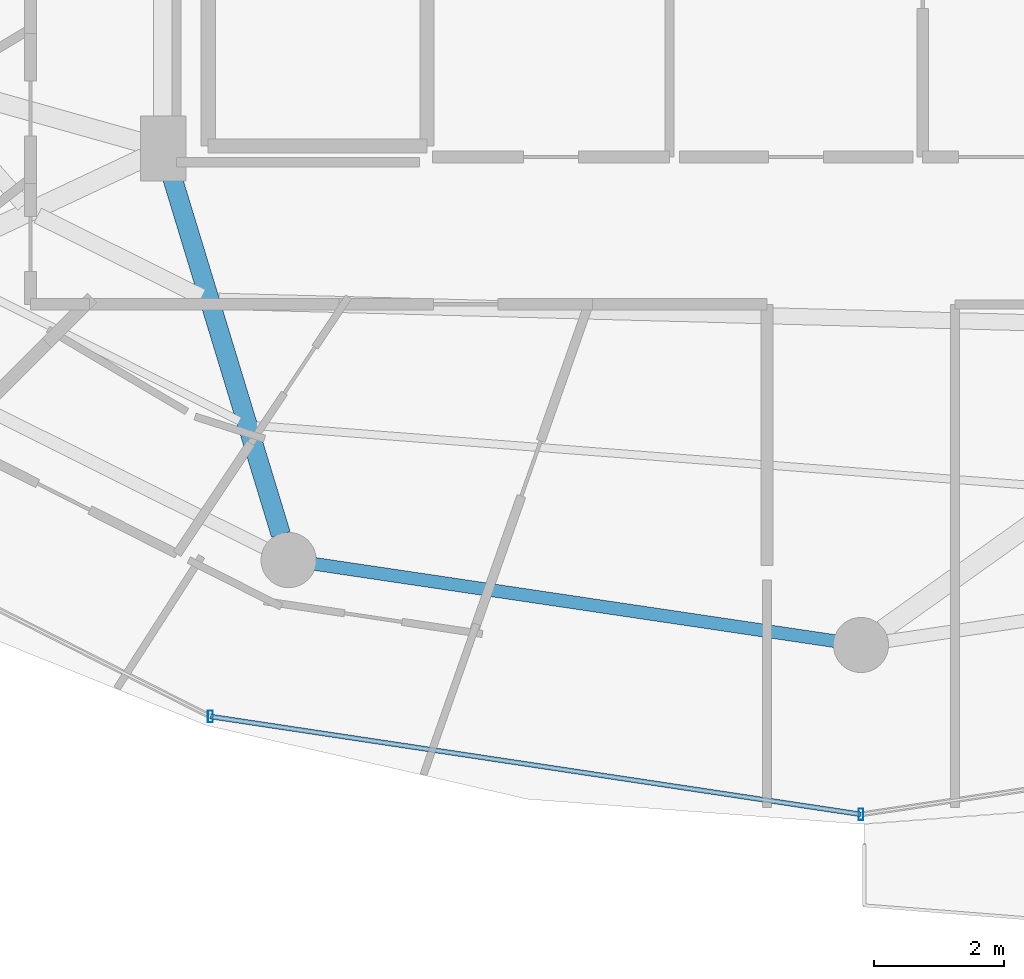
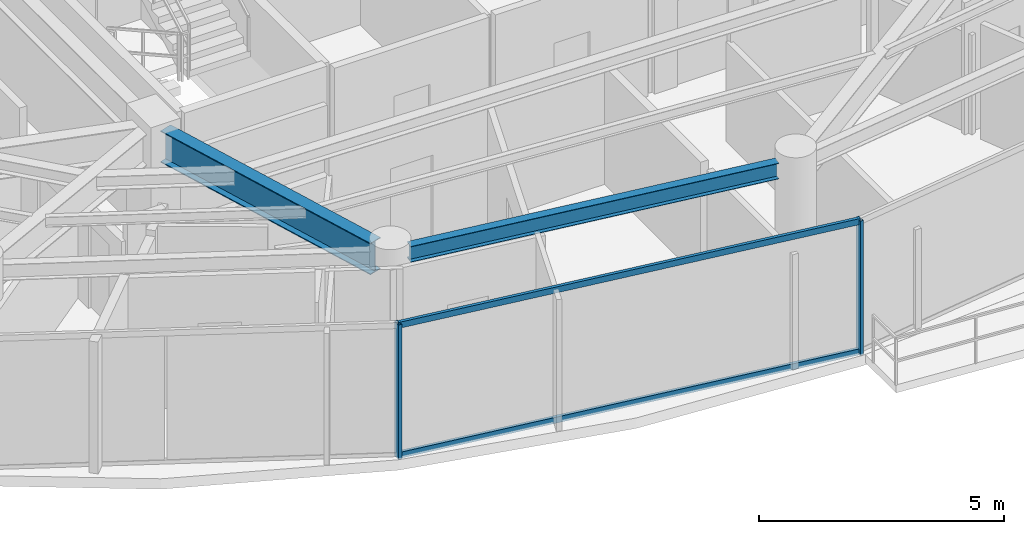
# One storey, part 4 of 29: 4 members, 2 beams, 1 element without a shape of its own.
"""IFC4 building model written with IfcOpenShell, lengths in metres."""

from ifc_helpers import new_model, si_unit, direction, frame, origin, origin_2d, place, context, subcontext, project, spatial, hollow_rectangle, i_section, extrude, material, material_profile, profile_set, type_object, element, aggregate, save


model = new_model("IFC4")

# Units and contexts
model_context = context("Model", 3, precision=1e-05, world=origin(), true_north=direction((0.0, 1.0)))
body_context = subcontext(model_context, "Body", "Model", "MODEL_VIEW")
ifc_project = project(units=[si_unit("LENGTHUNIT", "METRE"), si_unit("AREAUNIT", "SQUARE_METRE"), si_unit("VOLUMEUNIT", "CUBIC_METRE"), si_unit("PLANEANGLEUNIT", "RADIAN"), si_unit("MASSUNIT", "GRAM", prefix="KILO")], contexts=[model_context])

# Site, building, storey
site_placement = place(None, origin())
site = spatial("IfcSite", under=ifc_project, at=site_placement, CompositionType="ELEMENT")
building_placement = place(site_placement, origin())
building = spatial("IfcBuilding", under=site, at=building_placement, Name="Vorneva Point Tower", CompositionType="ELEMENT")
storey_placement = place(building_placement, frame((0.0, 0.0, 259.10009765625)))
storey = spatial("IfcBuildingStorey", under=building, at=storey_placement, Name="L70", CompositionType="ELEMENT", Elevation=259.10009765625)

# Beams
ifc_material_1 = material(Name="Steel S355", Category="steel")
ifc_material_profile_1 = material_profile(ifc_material_1, i_section(OverallWidth=0.300048828125, OverallDepth=0.7880859375, WebThickness=0.014404296875, FlangeThickness=0.02197265625, at=origin_2d()), Name="80Sh1")
ifc_profile_set_1 = profile_set([ifc_material_profile_1], Name="Steel S355")
beam_type_1 = type_object("IfcBeamType", Name="BM-GRD-80Sh1", PredefinedType="USERDEFINED", material=ifc_profile_set_1)
beam_1_placement = place(storey_placement, frame((29.058837890625, 10.50439453125, 2.89599609375), z_axis=(-0.291032624293, 0.956713129207, 0.0), x_axis=(-0.956713129207, -0.291032624293, 0.0)))
element("IfcBeam", 1, at=beam_1_placement, inside=storey, type_object=beam_type_1, Name="L70 Radial Primary Girder 12", ObjectType="GIRDER", PredefinedType="USERDEFINED", context=body_context, shape_type="SweptSolid", body=[
    extrude(i_section(OverallWidth=0.300048828125, OverallDepth=0.7880859375, WebThickness=0.014404296875, FlangeThickness=0.02197265625, at=origin_2d()), origin(), (0.0, 0.0, 1.0), 5.874755859375),
])
ifc_material_profile_2 = material_profile(ifc_material_1, i_section(OverallWidth=0.198974609375, OverallDepth=0.39599609375, WebThickness=0.007080078125, FlangeThickness=0.010986328125, at=origin_2d()), Name="40B1")
ifc_profile_set_2 = profile_set([ifc_material_profile_2], Name="Steel S355")
beam_type_2 = type_object("IfcBeamType", Name="BM-SPN-40B1", PredefinedType="SPANDREL", material=ifc_profile_set_2)
beam_2_placement = place(storey_placement, frame((29.584716796875, 10.049072265625, 3.091796875), z_axis=(0.989161657331, -0.146830567886, 0.0), x_axis=(0.146830567886, 0.989161657331, 0.0)))
element("IfcBeam", 2, at=beam_2_placement, inside=storey, type_object=beam_type_2, Name="L70 Perimeter Spandrel Ring Beam 12", PredefinedType="SPANDREL", context=body_context, shape_type="SweptSolid", body=[
    extrude(i_section(OverallWidth=0.198974609375, OverallDepth=0.39599609375, WebThickness=0.007080078125, FlangeThickness=0.010986328125, at=origin_2d()), origin(), (0.0, 0.0, 1.0), 8.097412109375),
])

# Curtain wall, members
ifc_material_2 = material(Name="Pale anodised aluminium", Category="aluminium")
curtain_wall_type = type_object("IfcCurtainWallType", Name="CW-RES-SYS", PredefinedType="NOTDEFINED", material=ifc_material_2)
curtain_wall_placement = place(storey_placement, origin())
curtain_wall = element("IfcCurtainWall", 3, at=curtain_wall_placement, inside=storey, type_object=curtain_wall_type, Name="L70 Unitised Curtain Wall CW-L70-R04", PredefinedType="NOTDEFINED")
ifc_material_profile_3 = material_profile(ifc_material_2, hollow_rectangle(XDim=0.074951171875, YDim=0.179931640625, WallThickness=0.00390625, at=origin_2d()), Name="AL-MUL 180x75x4")
ifc_profile_set_3 = profile_set([ifc_material_profile_3], Name="Pale anodised aluminium")
member_type_1 = type_object("IfcMemberType", Name="CW-MUL-180", PredefinedType="MULLION", material=ifc_profile_set_3)
member_1_placement = place(storey_placement, frame((27.9736328125, 7.697998046875, -0.0400390625), z_axis=(0.0, 0.0, 1.0), x_axis=(1.0, 0.0, 0.0)))
member_1 = element("IfcMember", 4, at=member_1_placement, type_object=member_type_1, Name="CW-L70-R04 Mullion 02", PredefinedType="MULLION", context=body_context, shape_type="SweptSolid", body=[
    extrude(hollow_rectangle(XDim=0.074951171875, YDim=0.179931640625, WallThickness=0.00390625, at=origin_2d()), origin(), (0.0, 0.0, 1.0), 3.35986328125),
])
member_2_placement = place(storey_placement, frame((38.0, 6.18994140625, -0.0400390625), z_axis=(0.0, 0.0, 1.0), x_axis=(1.0, 0.0, 0.0)))
member_2 = element("IfcMember", 5, at=member_2_placement, type_object=member_type_1, Name="CW-L70-R04 Mullion 03", PredefinedType="MULLION", context=body_context, shape_type="SweptSolid", body=[
    extrude(hollow_rectangle(XDim=0.074951171875, YDim=0.179931640625, WallThickness=0.00390625, at=origin_2d()), origin(), (0.0, 0.0, 1.0), 3.35986328125),
])
ifc_material_profile_4 = material_profile(ifc_material_2, hollow_rectangle(XDim=0.074951171875, YDim=0.14990234375, WallThickness=0.00390625, at=origin_2d()), Name="AL-TRN 150x75x4")
ifc_profile_set_4 = profile_set([ifc_material_profile_4], Name="Pale anodised aluminium")
member_type_2 = type_object("IfcMemberType", Name="CW-TRN-150", PredefinedType="USERDEFINED", material=ifc_profile_set_4)
member_3_placement = place(storey_placement, frame((27.9736328125, 7.697998046875, 0.02001953125), z_axis=(0.988876929856, -0.148736066907, 0.0), x_axis=(0.148736066907, 0.988876929856, 0.0)))
member_3 = element("IfcMember", 6, at=member_3_placement, type_object=member_type_2, Name="CW-L70-R04 Transom 02.1", ObjectType="TRANSOM", PredefinedType="USERDEFINED", context=body_context, shape_type="SweptSolid", body=[
    extrude(hollow_rectangle(XDim=0.074951171875, YDim=0.14990234375, WallThickness=0.00390625, at=origin_2d()), origin(), (0.0, 0.0, 1.0), 10.13916015625),
])
member_4_placement = place(storey_placement, frame((27.9736328125, 7.697998046875, 3.27001953125), z_axis=(0.988876929856, -0.148736066907, 0.0), x_axis=(0.148736066907, 0.988876929856, 0.0)))
member_4 = element("IfcMember", 7, at=member_4_placement, type_object=member_type_2, Name="CW-L70-R04 Transom 02.2", ObjectType="TRANSOM", PredefinedType="USERDEFINED", context=body_context, shape_type="SweptSolid", body=[
    extrude(hollow_rectangle(XDim=0.074951171875, YDim=0.14990234375, WallThickness=0.00390625, at=origin_2d()), origin(), (0.0, 0.0, 1.0), 10.13916015625),
])
aggregate(curtain_wall, [member_1, member_2, member_3, member_4])

save(model, "model.ifc")
